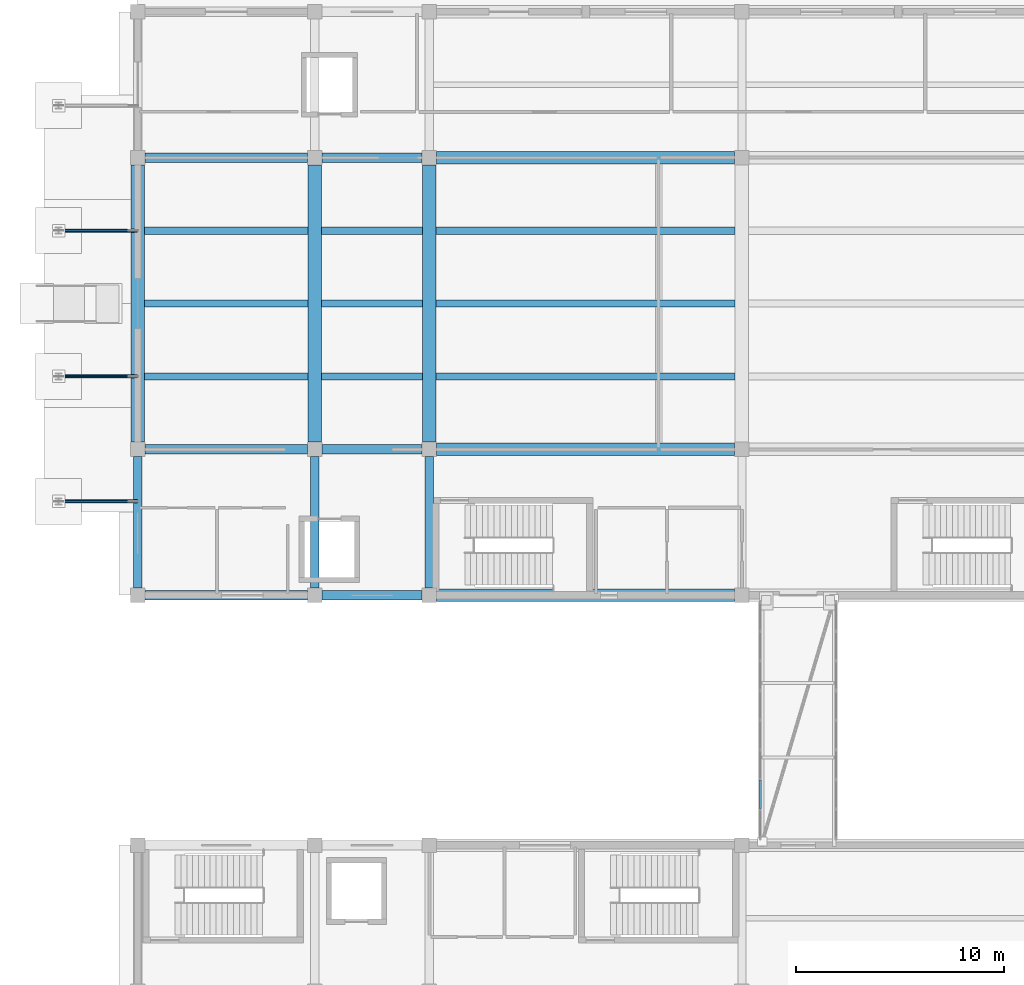
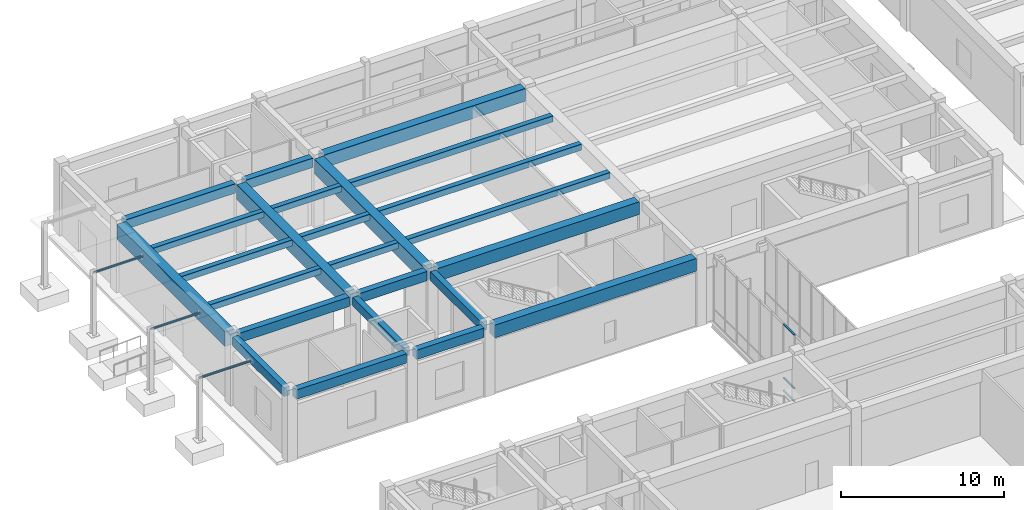
# One storey, part 7 of 40: 24 beams, 6 members, 1 element without a shape of its own.
"""IFC4 building model written with IfcOpenShell, lengths in metres."""

from ifc_helpers import new_model, si_unit, direction, frame, origin, origin_2d, place, context, subcontext, project, spatial, rectangle, hollow_circle, extrude, material, layer, layer_set, material_profile, profile_set, type_object, element, aggregate, save


model = new_model("IFC4")

# Units and contexts
model_context = context("Model", 3, precision=1e-05, world=origin(), true_north=direction((0.0, 1.0)))
body_context = subcontext(model_context, "Body", "Model", "MODEL_VIEW")
ifc_project = project(units=[si_unit("LENGTHUNIT", "METRE"), si_unit("AREAUNIT", "SQUARE_METRE"), si_unit("VOLUMEUNIT", "CUBIC_METRE"), si_unit("PLANEANGLEUNIT", "RADIAN"), si_unit("MASSUNIT", "GRAM", prefix="KILO")], contexts=[model_context])

# Site, building, storey
site_placement = place(None, origin())
site = spatial("IfcSite", under=ifc_project, at=site_placement, CompositionType="ELEMENT")
building_placement = place(site_placement, origin())
building = spatial("IfcBuilding", under=site, at=building_placement, Name="Naurynzar Civic Courthouse", CompositionType="ELEMENT")
storey_placement = place(building_placement, origin())
storey = spatial("IfcBuildingStorey", under=building, at=storey_placement, Name="L01", CompositionType="ELEMENT", Elevation=0.0)

# Beams
ifc_material_1 = material(Name="Concrete C40/50", Category="concrete")
ifc_material_profile_1 = material_profile(ifc_material_1, rectangle(XDim=0.60009765625, YDim=0.949951171875, at=origin_2d()), Name="PTB 600x950")
ifc_profile_set_1 = profile_set([ifc_material_profile_1], Name="Concrete C40/50")
beam_type_1 = type_object("IfcBeamType", Name="BM-PT-600x950", PredefinedType="T_BEAM", material=ifc_profile_set_1)
for number, where, z_axis, x_axis, name in (
    (1, (20.35009765625, 44.0, 4.655029296875), (1.0, 0.0, 0.0), (0.0, 1.0, 0.0), "V1 beam X-60 L01"),
    (2, (20.35009765625, 51.0, 4.655029296875), (1.0, 0.0, 0.0), (0.0, 1.0, 0.0), "V1 beam X-65 L01"),
    (3, (20.35009765625, 65.0, 4.655029296875), (1.0, 0.0, 0.0), (0.0, 1.0, 0.0), "V1 beam X-70 L01"),
):
    element("IfcBeam", number, at=place(storey_placement, frame(where, z_axis=z_axis, x_axis=x_axis)), inside=storey, type_object=beam_type_1, Name=name, PredefinedType="T_BEAM", context=body_context, shape_type="SweptSolid", body=[
        extrude(rectangle(XDim=0.60009765625, YDim=0.949951171875, at=origin_2d()), origin(), (0.0, 0.0, 1.0), 14.2998046875),
    ])
ifc_material_2 = material(Name="Concrete C40/50", Category="concrete")
ifc_material_profile_2 = material_profile(ifc_material_2, rectangle(XDim=0.64990234375, YDim=1.10009765625, at=origin_2d()), Name="PTB 650x1100")
ifc_profile_set_2 = profile_set([ifc_material_profile_2], Name="Concrete C40/50")
beam_type_2 = type_object("IfcBeamType", Name="BM-PT-650x1100", PredefinedType="T_BEAM", material=ifc_profile_set_2)
for number, where, z_axis, x_axis, name in (
    (4, (6.0, 51.35009765625, 4.580078125), (0.0, 1.0, 0.0), (-1.0, 0.0, 0.0), "V1 girder Y-79 L01"),
    (5, (14.5, 51.35009765625, 4.580078125), (0.0, 1.0, 0.0), (-1.0, 0.0, 0.0), "V1 girder Y-82 L01"),
    (6, (20.0, 51.35009765625, 4.580078125), (0.0, 1.0, 0.0), (-1.0, 0.0, 0.0), "V1 girder Y-85 L01"),
):
    element("IfcBeam", number, at=place(storey_placement, frame(where, z_axis=z_axis, x_axis=x_axis)), inside=storey, type_object=beam_type_2, Name=name, PredefinedType="T_BEAM", context=body_context, shape_type="SweptSolid", body=[
        extrude(rectangle(XDim=0.64990234375, YDim=1.10009765625, at=origin_2d()), origin(), (0.0, 0.0, 1.0), 13.2998046875),
    ])
ifc_material_3 = material(Name="Concrete C40/50", Category="concrete")
ifc_material_profile_3 = material_profile(ifc_material_3, rectangle(XDim=0.35009765625, YDim=0.449951171875, at=origin_2d()), Name="RCB 350x450")
ifc_profile_set_3 = profile_set([ifc_material_profile_3], Name="Concrete C40/50")
beam_type_3 = type_object("IfcBeamType", Name="BM-RC-350x450", PredefinedType="BEAM", material=ifc_profile_set_3)
for number, where, z_axis, x_axis, name in (
    (7, (6.324951171875, 54.5, 4.905029296875), (1.0, 0.0, 0.0), (0.0, 1.0, 0.0), "V1 secondary rib 97 L01"),
    (8, (6.324951171875, 58.0, 4.905029296875), (1.0, 0.0, 0.0), (0.0, 1.0, 0.0), "V1 secondary rib 98 L01"),
    (9, (6.324951171875, 61.5, 4.905029296875), (1.0, 0.0, 0.0), (0.0, 1.0, 0.0), "V1 secondary rib 99 L01"),
):
    element("IfcBeam", number, at=place(storey_placement, frame(where, z_axis=z_axis, x_axis=x_axis)), inside=storey, type_object=beam_type_3, Name=name, PredefinedType="BEAM", context=body_context, shape_type="SweptSolid", body=[
        extrude(rectangle(XDim=0.35009765625, YDim=0.449951171875, at=origin_2d()), origin(), (0.0, 0.0, 1.0), 7.85009765625),
    ])
for number, where, z_axis, x_axis, name in (
    (10, (14.824951171875, 54.5, 4.905029296875), (1.0, 0.0, 0.0), (0.0, 1.0, 0.0), "V1 secondary rib 100 L01"),
    (11, (14.824951171875, 58.0, 4.905029296875), (1.0, 0.0, 0.0), (0.0, 1.0, 0.0), "V1 secondary rib 101 L01"),
    (12, (14.824951171875, 61.5, 4.905029296875), (1.0, 0.0, 0.0), (0.0, 1.0, 0.0), "V1 secondary rib 102 L01"),
):
    element("IfcBeam", number, at=place(storey_placement, frame(where, z_axis=z_axis, x_axis=x_axis)), inside=storey, type_object=beam_type_3, Name=name, PredefinedType="BEAM", context=body_context, shape_type="SweptSolid", body=[
        extrude(rectangle(XDim=0.35009765625, YDim=0.449951171875, at=origin_2d()), origin(), (0.0, 0.0, 1.0), 4.85009765625),
    ])
for number, where, z_axis, x_axis, name in (
    (13, (20.324951171875, 54.5, 4.905029296875), (1.0, 0.0, 0.0), (0.0, 1.0, 0.0), "V1 secondary rib 103 L01"),
    (14, (20.324951171875, 58.0, 4.905029296875), (1.0, 0.0, 0.0), (0.0, 1.0, 0.0), "V1 secondary rib 104 L01"),
    (15, (20.324951171875, 61.5, 4.905029296875), (1.0, 0.0, 0.0), (0.0, 1.0, 0.0), "V1 secondary rib 105 L01"),
):
    element("IfcBeam", number, at=place(storey_placement, frame(where, z_axis=z_axis, x_axis=x_axis)), inside=storey, type_object=beam_type_3, Name=name, PredefinedType="BEAM", context=body_context, shape_type="SweptSolid", body=[
        extrude(rectangle(XDim=0.35009765625, YDim=0.449951171875, at=origin_2d()), origin(), (0.0, 0.0, 1.0), 14.35009765625),
    ])
ifc_material_4 = material(Name="Concrete C40/50", Category="concrete")
ifc_material_profile_4 = material_profile(ifc_material_4, rectangle(XDim=0.39990234375, YDim=0.64990234375, at=origin_2d()), Name="RCB 400x650")
ifc_profile_set_4 = profile_set([ifc_material_profile_4], Name="Concrete C40/50")
beam_type_4 = type_object("IfcBeamType", Name="BM-RC-400x650", PredefinedType="BEAM", material=ifc_profile_set_4)
for number, where, z_axis, x_axis, name in (
    (16, (6.0, 44.35009765625, 4.804931640625), (0.0, 1.0, 0.0), (-1.0, 0.0, 0.0), "V1 girder Y-78 L01"),
    (17, (14.5, 44.35009765625, 4.804931640625), (0.0, 1.0, 0.0), (-1.0, 0.0, 0.0), "V1 girder Y-81 L01"),
    (18, (20.0, 44.35009765625, 4.804931640625), (0.0, 1.0, 0.0), (-1.0, 0.0, 0.0), "V1 girder Y-84 L01"),
):
    element("IfcBeam", number, at=place(storey_placement, frame(where, z_axis=z_axis, x_axis=x_axis)), inside=storey, type_object=beam_type_4, Name=name, PredefinedType="BEAM", context=body_context, shape_type="SweptSolid", body=[
        extrude(rectangle(XDim=0.39990234375, YDim=0.64990234375, at=origin_2d()), origin(), (0.0, 0.0, 1.0), 6.2998046875),
    ])
ifc_material_5 = material(Name="Concrete C40/50", Category="concrete")
ifc_material_profile_5 = material_profile(ifc_material_5, rectangle(XDim=0.449951171875, YDim=0.699951171875, at=origin_2d()), Name="RCB 450x700")
ifc_profile_set_5 = profile_set([ifc_material_profile_5], Name="Concrete C40/50")
beam_type_5 = type_object("IfcBeamType", Name="BM-RC-450x700", PredefinedType="BEAM", material=ifc_profile_set_5)
beam_1_placement = place(storey_placement, frame((6.35009765625, 44.0, 4.780029296875), z_axis=(1.0, 0.0, 0.0), x_axis=(0.0, 1.0, 0.0)))
element("IfcBeam", 19, at=beam_1_placement, inside=storey, type_object=beam_type_5, Name="V1 beam X-58 L01", PredefinedType="BEAM", context=body_context, shape_type="SweptSolid", body=[
    extrude(rectangle(XDim=0.449951171875, YDim=0.699951171875, at=origin_2d()), origin(), (0.0, 0.0, 1.0), 7.7998046875),
])
beam_2_placement = place(storey_placement, frame((14.85009765625, 44.0, 4.780029296875), z_axis=(1.0, 0.0, 0.0), x_axis=(0.0, 1.0, 0.0)))
element("IfcBeam", 20, at=beam_2_placement, inside=storey, type_object=beam_type_5, Name="V1 beam X-59 L01", PredefinedType="BEAM", context=body_context, shape_type="SweptSolid", body=[
    extrude(rectangle(XDim=0.449951171875, YDim=0.699951171875, at=origin_2d()), origin(), (0.0, 0.0, 1.0), 4.7998046875),
])
beam_3_placement = place(storey_placement, frame((6.35009765625, 51.0, 4.780029296875), z_axis=(1.0, 0.0, 0.0), x_axis=(0.0, 1.0, 0.0)))
element("IfcBeam", 21, at=beam_3_placement, inside=storey, type_object=beam_type_5, Name="V1 beam X-63 L01", PredefinedType="BEAM", context=body_context, shape_type="SweptSolid", body=[
    extrude(rectangle(XDim=0.449951171875, YDim=0.699951171875, at=origin_2d()), origin(), (0.0, 0.0, 1.0), 7.7998046875),
])
beam_4_placement = place(storey_placement, frame((14.85009765625, 51.0, 4.780029296875), z_axis=(1.0, 0.0, 0.0), x_axis=(0.0, 1.0, 0.0)))
element("IfcBeam", 22, at=beam_4_placement, inside=storey, type_object=beam_type_5, Name="V1 beam X-64 L01", PredefinedType="BEAM", context=body_context, shape_type="SweptSolid", body=[
    extrude(rectangle(XDim=0.449951171875, YDim=0.699951171875, at=origin_2d()), origin(), (0.0, 0.0, 1.0), 4.7998046875),
])
beam_5_placement = place(storey_placement, frame((6.35009765625, 65.0, 4.780029296875), z_axis=(1.0, 0.0, 0.0), x_axis=(0.0, 1.0, 0.0)))
element("IfcBeam", 23, at=beam_5_placement, inside=storey, type_object=beam_type_5, Name="V1 beam X-68 L01", PredefinedType="BEAM", context=body_context, shape_type="SweptSolid", body=[
    extrude(rectangle(XDim=0.449951171875, YDim=0.699951171875, at=origin_2d()), origin(), (0.0, 0.0, 1.0), 7.7998046875),
])
beam_6_placement = place(storey_placement, frame((14.85009765625, 65.0, 4.780029296875), z_axis=(1.0, 0.0, 0.0), x_axis=(0.0, 1.0, 0.0)))
element("IfcBeam", 24, at=beam_6_placement, inside=storey, type_object=beam_type_5, Name="V1 beam X-69 L01", PredefinedType="BEAM", context=body_context, shape_type="SweptSolid", body=[
    extrude(rectangle(XDim=0.449951171875, YDim=0.699951171875, at=origin_2d()), origin(), (0.0, 0.0, 1.0), 4.7998046875),
])

# Curtain wall, members
ifc_material_6 = material(Name="Aluminium 6063-T6", Category="aluminium")
ifc_layer = layer(ifc_material_6, 0.14990234375)
ifc_layer_set = layer_set([ifc_layer], Name="CW-BRIDGE-1500")
curtain_wall_type = type_object("IfcCurtainWallType", Name="CW-BRIDGE-1500", PredefinedType="USERDEFINED", material=ifc_layer_set)
curtain_wall_placement = place(storey_placement, origin())
curtain_wall = element("IfcCurtainWall", 25, at=curtain_wall_placement, inside=storey, type_object=curtain_wall_type, Name="BR-W1 glazed bridge screen L01.1", ObjectType="GLAZED BRIDGE SCREEN", PredefinedType="USERDEFINED")
ifc_material_7 = material(Name="Aluminium 6063-T6", Category="aluminium")
ifc_material_profile_6 = material_profile(ifc_material_7, rectangle(XDim=0.110107421875, YDim=0.06005859375, at=origin_2d()), Name="ALU TRANSOM 60x110")
ifc_profile_set_6 = profile_set([ifc_material_profile_6], Name="Aluminium 6063-T6")
member_type_1 = type_object("IfcMemberType", Name="CWT-60x110", PredefinedType="USERDEFINED", material=ifc_profile_set_6)
member_1_placement = place(storey_placement, frame((35.8798828125, 35.1201171875, 0.030029296875), z_axis=(0.0, -1.0, 0.0), x_axis=(1.0, 0.0, 0.0)))
member_1 = element("IfcMember", 26, at=member_1_placement, type_object=member_type_1, Name="CW-03 transom 7.1", ObjectType="TRANSOM", PredefinedType="USERDEFINED", context=body_context, shape_type="SweptSolid", body=[
    extrude(rectangle(XDim=0.110107421875, YDim=0.06005859375, at=origin_2d()), origin(), (0.0, 0.0, 1.0), 1.365234375),
])
member_2_placement = place(storey_placement, frame((35.8798828125, 35.1201171875, 1.0), z_axis=(0.0, -1.0, 0.0), x_axis=(1.0, 0.0, 0.0)))
member_2 = element("IfcMember", 27, at=member_2_placement, type_object=member_type_1, Name="CW-03 transom 7.2", ObjectType="TRANSOM", PredefinedType="USERDEFINED", context=body_context, shape_type="SweptSolid", body=[
    extrude(rectangle(XDim=0.110107421875, YDim=0.06005859375, at=origin_2d()), origin(), (0.0, 0.0, 1.0), 1.365234375),
])
member_3_placement = place(storey_placement, frame((35.8798828125, 35.1201171875, 4.989990234375), z_axis=(0.0, -1.0, 0.0), x_axis=(1.0, 0.0, 0.0)))
member_3 = element("IfcMember", 28, at=member_3_placement, type_object=member_type_1, Name="CW-03 transom 7.3", ObjectType="TRANSOM", PredefinedType="USERDEFINED", context=body_context, shape_type="SweptSolid", body=[
    extrude(rectangle(XDim=0.110107421875, YDim=0.06005859375, at=origin_2d()), origin(), (0.0, 0.0, 1.0), 1.365234375),
])
aggregate(curtain_wall, [member_1, member_2, member_3])

# Members
ifc_material_8 = material(Name="Steel S355", Category="steel")
ifc_material_profile_7 = material_profile(ifc_material_8, hollow_circle(Radius=0.084228515625, WallThickness=0.008056640625, at=origin_2d()), Name="CHS 168.3x8")
ifc_profile_set_7 = profile_set([ifc_material_profile_7], Name="Steel S355")
member_type_2 = type_object("IfcMemberType", Name="MEM-BRACE-CHS168", PredefinedType="BRACE", material=ifc_profile_set_7)
for number, where, z_axis, x_axis, name in (
    (29, (2.199951171875, 48.5, 4.64990234375), (1.0, 0.0, 0.0), (0.0, 1.0, 0.0), "West canopy tie strut 1"),
    (30, (2.199951171875, 54.5, 4.64990234375), (1.0, 0.0, 0.0), (0.0, 1.0, 0.0), "West canopy tie strut 2"),
    (31, (2.199951171875, 61.5, 4.64990234375), (1.0, 0.0, 0.0), (0.0, 1.0, 0.0), "West canopy tie strut 3"),
):
    element("IfcMember", number, at=place(storey_placement, frame(where, z_axis=z_axis, x_axis=x_axis)), inside=storey, type_object=member_type_2, Name=name, PredefinedType="BRACE", context=body_context, shape_type="SweptSolid", body=[
        extrude(hollow_circle(Radius=0.084228515625, WallThickness=0.008056640625, at=origin_2d()), origin(), (0.0, 0.0, 1.0), 3.800048828125),
    ])

save(model, "model.ifc")
